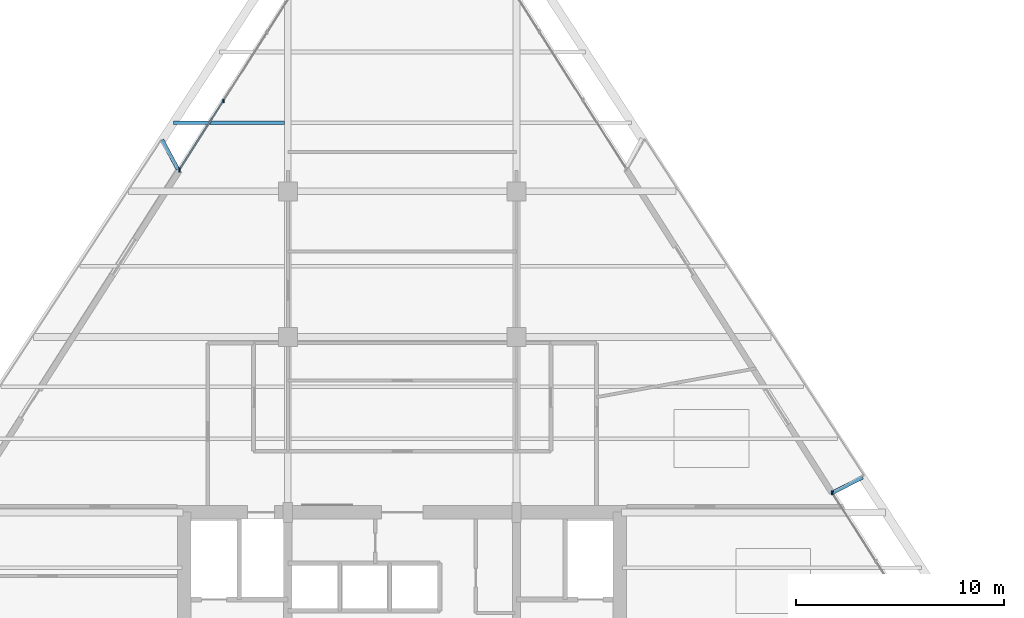
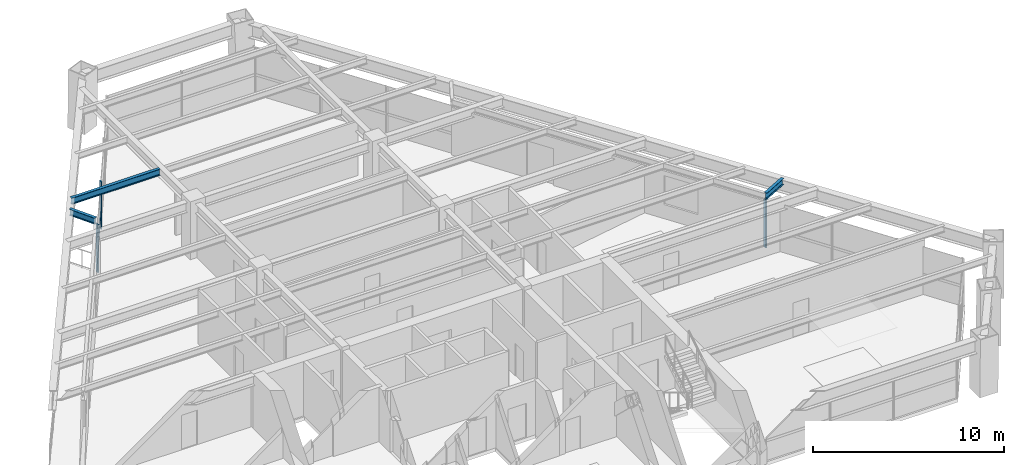
# One storey, part 8 of 15: 6 members, 3 beams, 2 elements without a shape of their own.
"""IFC4 building model written with IfcOpenShell, lengths in metres."""

from ifc_helpers import new_model, si_unit, direction, frame, origin, origin_2d, place, context, subcontext, project, spatial, rectangle, i_section, extrude, source, transform, mapped, material, material_profile, profile_set, type_object, element, aggregate, save


model = new_model("IFC4")

# Units and contexts
model_context = context("Model", 3, precision=1e-05, world=origin(), true_north=direction((0.0, 1.0)))
body_context = subcontext(model_context, "Body", "Model", "MODEL_VIEW")
ifc_project = project(units=[si_unit("LENGTHUNIT", "METRE"), si_unit("AREAUNIT", "SQUARE_METRE"), si_unit("VOLUMEUNIT", "CUBIC_METRE"), si_unit("PLANEANGLEUNIT", "RADIAN"), si_unit("MASSUNIT", "GRAM", prefix="KILO")], contexts=[model_context])

# Site, building, storey
site_placement = place(None, origin())
site = spatial("IfcSite", under=ifc_project, at=site_placement, CompositionType="ELEMENT")
building_placement = place(site_placement, origin())
building = spatial("IfcBuilding", under=site, at=building_placement, Name="Varnakhor Terracotta Tower", CompositionType="ELEMENT")
storey_placement = place(building_placement, frame((0.0, 0.0, 158.89990234375)))
storey = spatial("IfcBuildingStorey", under=building, at=storey_placement, Name="L40", CompositionType="ELEMENT", Elevation=158.89990234375)

# Beam
ifc_material_1 = material(Name="Steel S355", Category="steel")
ifc_material_profile_1 = material_profile(ifc_material_1, i_section(OverallWidth=0.179931640625, OverallDepth=0.4130859375, WebThickness=0.009765625, FlangeThickness=0.01611328125, FilletRadius=0.01806640625, at=origin_2d()), Name="W16X50")
ifc_profile_set_1 = profile_set([ifc_material_profile_1], Name="Steel S355")
beam_type_1 = type_object("IfcBeamType", Name="JST-W16X50", PredefinedType="JOIST", material=ifc_profile_set_1)
shared_shape_1 = source(origin(), body_context, "Body", "SweptSolid", [
    extrude(i_section(OverallWidth=0.179931640625, OverallDepth=0.4130859375, WebThickness=0.009765625, FlangeThickness=0.01611328125, FilletRadius=0.01806640625, at=origin_2d()), origin(), (0.0, 0.0, 1.0), 5.344482421875),
])
beam_1_placement = place(storey_placement, frame((-11.0029296875, 34.800048828125, 3.263671875), z_axis=(1.0, 0.0, 0.0), x_axis=(0.0, 1.0, 0.0)))
element("IfcBeam", 1, at=beam_1_placement, inside=storey, type_object=beam_type_1, Name="L40 Composite Floor Joist 7-1", PredefinedType="JOIST", context=body_context, shape_type="MappedRepresentation", body=[
    mapped(shared_shape_1, transform((0.0, 0.0, 0.0), scale=1.0)),
])

# Curtain wall, members
ifc_material_2 = material(Name="Anodised Aluminium Curtain Wall System", Category="aluminium")
curtain_wall_type = type_object("IfcCurtainWallType", Name="CW-SYS-MID-OFFICE", PredefinedType="NOTDEFINED", material=ifc_material_2)
curtain_wall_1_placement = place(storey_placement, origin())
curtain_wall_1 = element("IfcCurtainWall", 2, at=curtain_wall_1_placement, inside=storey, type_object=curtain_wall_type, Name="L40 W Facet Curtain Wall 2", PredefinedType="NOTDEFINED")
ifc_material_3 = material(Name="Anodised Aluminium 6063-T6", Category="aluminium")
ifc_material_profile_2 = material_profile(ifc_material_3, rectangle(XDim=0.070068359375, YDim=0.175048828125, at=origin_2d()), Name="ALU MULLION 70x175")
ifc_profile_set_2 = profile_set([ifc_material_profile_2], Name="Anodised Aluminium 6063-T6")
member_type_1 = type_object("IfcMemberType", Name="CWM-03", PredefinedType="MULLION", material=ifc_profile_set_2)
shared_shape_2 = source(origin(), body_context, "Body", "SweptSolid", [
    extrude(rectangle(XDim=0.070068359375, YDim=0.175048828125, at=origin_2d()), origin(), (0.0, 0.0, 1.0), 3.050048828125),
])
member_1_placement = place(storey_placement, frame((-10.71337890625, 32.541748046875, 0.0), z_axis=(0.0, 0.0, 1.0), x_axis=(1.0, 0.0, 0.0)))
member_1 = element("IfcMember", 3, at=member_1_placement, type_object=member_type_1, Name="L40 W Facet Curtain Wall 2 Mullion 1", PredefinedType="MULLION", context=body_context, shape_type="MappedRepresentation", body=[
    mapped(shared_shape_2, transform((0.0, 0.0, 0.0), scale=1.0)),
])
member_2_placement = place(storey_placement, frame((-8.60205078125, 35.847412109375, 0.0), z_axis=(0.0, 0.0, 1.0), x_axis=(1.0, 0.0, 0.0)))
member_2 = element("IfcMember", 4, at=member_2_placement, type_object=member_type_1, Name="L40 W Facet Curtain Wall 2 Mullion 2", PredefinedType="MULLION", context=body_context, shape_type="MappedRepresentation", body=[
    mapped(shared_shape_2, transform((0.0, 0.0, 0.0), scale=1.0)),
])
member_3_placement = place(storey_placement, frame((-10.712890625, 32.505615234375, 0.0), z_axis=(0.0, 0.0, 1.0), x_axis=(1.0, 0.0, 0.0)))
member_3 = element("IfcMember", 5, at=member_3_placement, type_object=member_type_1, Name="L40 W Loggia Jamb Closure Mullion 2", PredefinedType="MULLION", context=body_context, shape_type="MappedRepresentation", body=[
    mapped(shared_shape_2, transform((0.0, 0.0, 0.0), scale=1.0)),
])

curtain_wall_2_placement = place(storey_placement, origin())
curtain_wall_2 = element("IfcCurtainWall", 6, at=curtain_wall_2_placement, inside=storey, type_object=curtain_wall_type, Name="L40 E Facet Curtain Wall 2", PredefinedType="NOTDEFINED")
member_4_placement = place(storey_placement, frame((20.7001953125, 16.989013671875, 0.0), z_axis=(0.0, 0.0, 1.0), x_axis=(1.0, 0.0, 0.0)))
member_4 = element("IfcMember", 7, at=member_4_placement, type_object=member_type_1, Name="L40 E Facet Curtain Wall 2 Mullion 1", PredefinedType="MULLION", context=body_context, shape_type="MappedRepresentation", body=[
    mapped(shared_shape_2, transform((0.0, 0.0, 0.0), scale=1.0)),
])
member_5_placement = place(storey_placement, frame((20.667236328125, 17.003662109375, 0.0), z_axis=(0.0, 0.0, 1.0), x_axis=(1.0, 0.0, 0.0)))
member_5 = element("IfcMember", 8, at=member_5_placement, type_object=member_type_1, Name="L40 E Loggia Jamb Closure Mullion 2", PredefinedType="MULLION", context=body_context, shape_type="MappedRepresentation", body=[
    mapped(shared_shape_2, transform((0.0, 0.0, 0.0), scale=1.0)),
])
aggregate(curtain_wall_2, [member_4, member_5])

# Member
ifc_material_profile_3 = material_profile(ifc_material_3, rectangle(XDim=0.070068359375, YDim=0.155029296875, at=origin_2d()), Name="ALU TRANSOM 70x155")
ifc_profile_set_3 = profile_set([ifc_material_profile_3], Name="Anodised Aluminium 6063-T6")
member_type_2 = type_object("IfcMemberType", Name="CWT-03", PredefinedType="USERDEFINED", material=ifc_profile_set_3)
shared_shape_3 = source(origin(), body_context, "Body", "SweptSolid", [
    extrude(rectangle(XDim=0.070068359375, YDim=0.155029296875, at=origin_2d()), origin(), (0.0, 0.0, 1.0), 3.92236328125),
])
member_6_placement = place(storey_placement, frame((-10.71337890625, 32.541748046875, 1.281005859375), z_axis=(0.538276314251, 0.842768419862, 0.0), x_axis=(-0.842768419862, 0.538276314251, 0.0)))
member_6 = element("IfcMember", 9, at=member_6_placement, type_object=member_type_2, Name="L40 W Facet Curtain Wall 2 Transom 1", ObjectType="TRANSOM", PredefinedType="USERDEFINED", context=body_context, shape_type="MappedRepresentation", body=[
    mapped(shared_shape_3, transform((0.0, 0.0, 0.0), scale=1.0)),
])

aggregate(curtain_wall_1, [member_1, member_6, member_2, member_3])

# Beams
ifc_material_profile_4 = material_profile(ifc_material_1, i_section(OverallWidth=0.179931640625, OverallDepth=0.39990234375, WebThickness=0.008544921875, FlangeThickness=0.013427734375, FilletRadius=0.01806640625, at=origin_2d()), Name="IPE400")
ifc_profile_set_4 = profile_set([ifc_material_profile_4], Name="Steel S355")
beam_type_2 = type_object("IfcBeamType", Name="JST-IPE400", PredefinedType="JOIST", material=ifc_profile_set_4)
shared_shape_4 = source(origin(), body_context, "Body", "SweptSolid", [
    extrude(i_section(OverallWidth=0.179931640625, OverallDepth=0.39990234375, WebThickness=0.008544921875, FlangeThickness=0.013427734375, FilletRadius=0.01806640625, at=origin_2d()), origin(), (0.0, 0.0, 1.0), 1.622314453125),
])
beam_2_placement = place(storey_placement, frame((20.699462890625, 17.005859375, 3.27001953125), z_axis=(0.890602671162, 0.454782235933, 0.0), x_axis=(-0.454782235933, 0.890602671162, 0.0)))
element("IfcBeam", 10, at=beam_2_placement, inside=storey, type_object=beam_type_2, Name="L41 E Loggia Tie Beam 2", PredefinedType="JOIST", context=body_context, shape_type="MappedRepresentation", body=[
    mapped(shared_shape_4, transform((0.0, 0.0, 0.0), scale=1.0)),
])
shared_shape_5 = source(origin(), body_context, "Body", "SweptSolid", [
    extrude(i_section(OverallWidth=0.179931640625, OverallDepth=0.39990234375, WebThickness=0.008544921875, FlangeThickness=0.013427734375, FilletRadius=0.01806640625, at=origin_2d()), origin(), (0.0, 0.0, 1.0), 1.6015625),
])
beam_3_placement = place(storey_placement, frame((-10.7880859375, 32.559814453125, 3.27001953125), z_axis=(-0.47101541217, 0.882124980656, 0.0), x_axis=(-0.882124980656, -0.47101541217, 0.0)))
element("IfcBeam", 11, at=beam_3_placement, inside=storey, type_object=beam_type_2, Name="L41 W Loggia Tie Beam 2", PredefinedType="JOIST", context=body_context, shape_type="MappedRepresentation", body=[
    mapped(shared_shape_5, transform((0.0, 0.0, 0.0), scale=1.0)),
])

save(model, "model.ifc")
